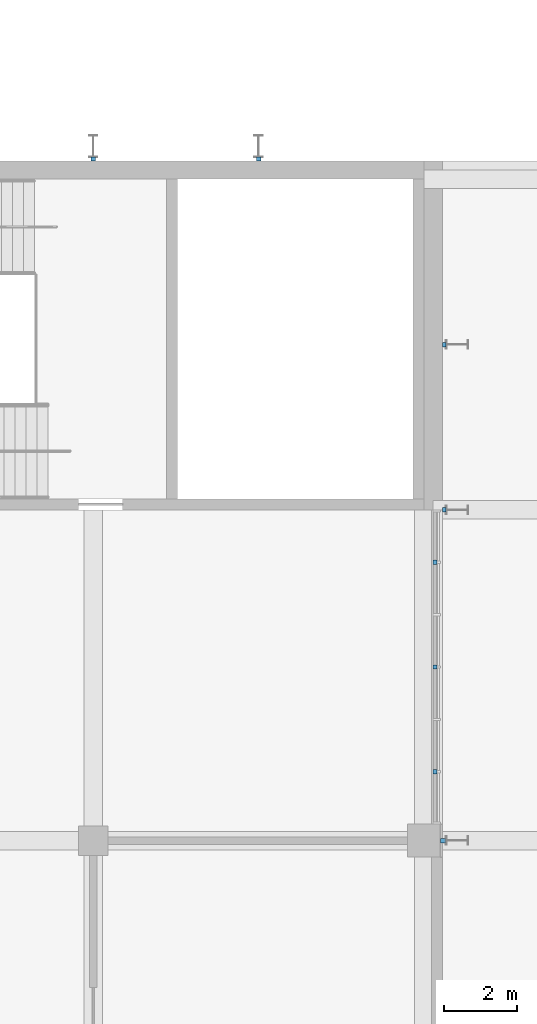
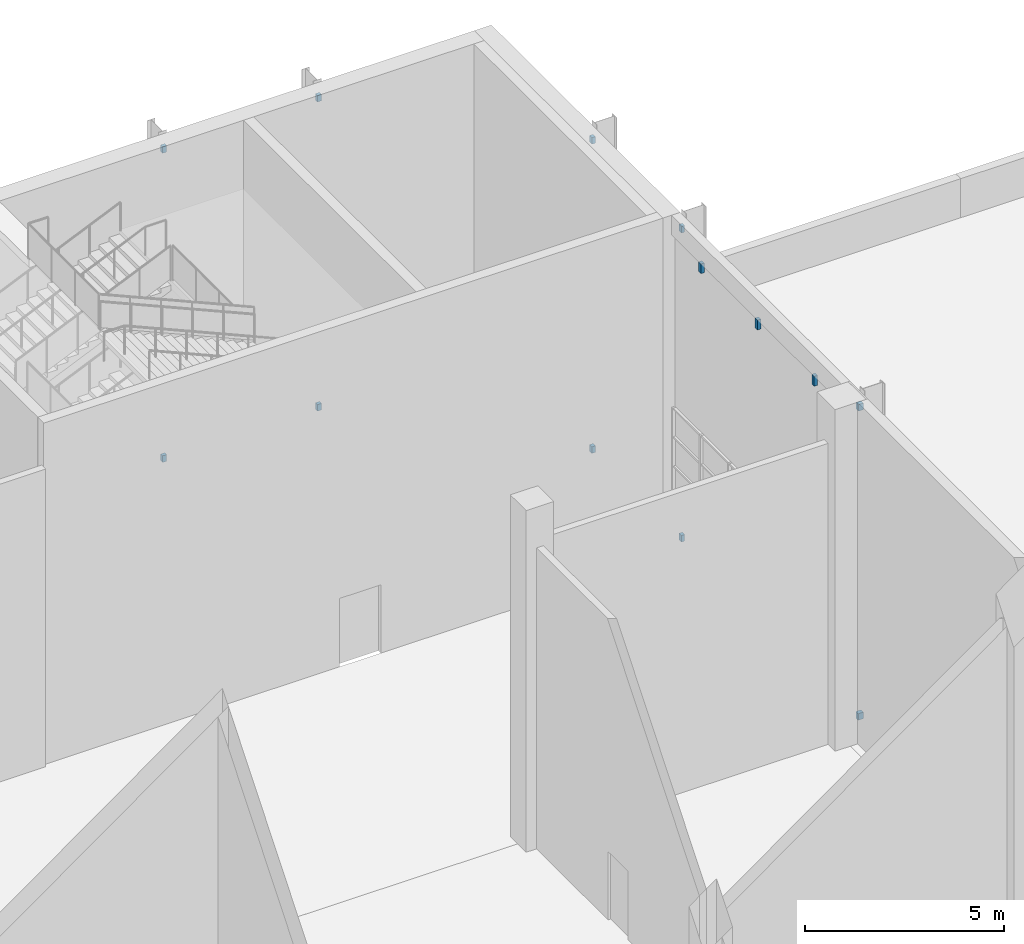
# One storey, part 131 of 182: 13 discrete accessories.
"""IFC4 building model written with IfcOpenShell, lengths in metres."""

from ifc_helpers import new_model, si_unit, direction, frame, origin, origin_2d, place, context, subcontext, project, spatial, rectangle, extrude, material, type_object, element, save


model = new_model("IFC4")

# Units and contexts
model_context = context("Model", 3, precision=1e-05, world=origin(), true_north=direction((0.0, 1.0)))
body_context = subcontext(model_context, "Body", "Model", "MODEL_VIEW")
ifc_project = project(units=[si_unit("LENGTHUNIT", "METRE"), si_unit("AREAUNIT", "SQUARE_METRE"), si_unit("VOLUMEUNIT", "CUBIC_METRE"), si_unit("PLANEANGLEUNIT", "RADIAN"), si_unit("MASSUNIT", "GRAM", prefix="KILO")], contexts=[model_context])

# Site, building, storey
site_placement = place(None, origin())
site = spatial("IfcSite", under=ifc_project, at=site_placement, CompositionType="ELEMENT")
building_placement = place(site_placement, origin())
building = spatial("IfcBuilding", under=site, at=building_placement, Name="Silverbay Arena", CompositionType="ELEMENT")
storey_placement = place(building_placement, frame((0.0, 0.0, 11.5)))
storey = spatial("IfcBuildingStorey", under=building, at=storey_placement, Name="L02", CompositionType="ELEMENT", Elevation=11.5)

# Discrete accessories
ifc_material = material(Name="Steel S355", Category="steel")
discrete_accessory_type = type_object("IfcDiscreteAccessoryType", Name="Steel bracket plate", PredefinedType="BRACKET", material=ifc_material)
for number, where, z_axis, x_axis, name in (
    (1, (207.300048828125, 127.875, 9.60009765625), (0.0, 0.0, 1.0), (1.0, 0.0, 0.0), "Cladding hanger bracket"),
    (2, (207.300048828125, 130.72509765625, 9.60009765625), (0.0, 0.0, 1.0), (1.0, 0.0, 0.0), "Cladding hanger bracket"),
    (3, (207.300048828125, 133.574951171875, 9.60009765625), (0.0, 0.0, 1.0), (1.0, 0.0, 0.0), "Cladding hanger bracket"),
):
    element("IfcDiscreteAccessory", number, at=place(storey_placement, frame(where, z_axis=z_axis, x_axis=x_axis)), inside=storey, type_object=discrete_accessory_type, Name=name, PredefinedType="BRACKET", context=body_context, shape_type="SweptSolid", body=[
        extrude(rectangle(XDim=0.10009765625, YDim=0.1201171875, at=origin_2d()), origin(), (0.0, 0.0, 1.0), 0.300048828125),
    ])
for number, where, z_axis, x_axis, name in (
    (4, (207.52490234375, 126.0, 0.39990234375), (0.0, 0.0, 1.0), (1.0, 0.0, 0.0), "Fin bracket"),
    (5, (207.52490234375, 126.0, 9.89990234375), (0.0, 0.0, 1.0), (1.0, 0.0, 0.0), "Fin bracket"),
):
    element("IfcDiscreteAccessory", number, at=place(storey_placement, frame(where, z_axis=z_axis, x_axis=x_axis)), inside=storey, type_object=discrete_accessory_type, Name=name, PredefinedType="BRACKET", context=body_context, shape_type="SweptSolid", body=[
        extrude(rectangle(XDim=0.14990234375, YDim=0.1201171875, at=origin_2d()), origin(), (0.0, 0.0, 1.0), 0.199951171875),
    ])
for number, where, z_axis, x_axis, name in (
    (6, (207.550048828125, 135.0, 0.39990234375), (0.0, 0.0, 1.0), (1.0, 0.0, 0.0), "Fin bracket"),
    (7, (207.550048828125, 135.0, 9.89990234375), (0.0, 0.0, 1.0), (1.0, 0.0, 0.0), "Fin bracket"),
    (8, (207.550048828125, 139.5, 0.39990234375), (0.0, 0.0, 1.0), (1.0, 0.0, 0.0), "Fin bracket"),
    (9, (207.550048828125, 139.5, 9.89990234375), (0.0, 0.0, 1.0), (1.0, 0.0, 0.0), "Fin bracket"),
):
    element("IfcDiscreteAccessory", number, at=place(storey_placement, frame(where, z_axis=z_axis, x_axis=x_axis)), inside=storey, type_object=discrete_accessory_type, Name=name, PredefinedType="BRACKET", context=body_context, shape_type="SweptSolid", body=[
        extrude(rectangle(XDim=0.10009765625, YDim=0.1201171875, at=origin_2d()), origin(), (0.0, 0.0, 1.0), 0.199951171875),
    ])
for number, where, z_axis, x_axis, name in (
    (10, (198.0, 144.550048828125, 0.39990234375), (0.0, 0.0, 1.0), (1.0, 0.0, 0.0), "Fin bracket"),
    (11, (198.0, 144.550048828125, 9.89990234375), (0.0, 0.0, 1.0), (1.0, 0.0, 0.0), "Fin bracket"),
    (12, (202.5, 144.550048828125, 0.39990234375), (0.0, 0.0, 1.0), (1.0, 0.0, 0.0), "Fin bracket"),
    (13, (202.5, 144.550048828125, 9.89990234375), (0.0, 0.0, 1.0), (1.0, 0.0, 0.0), "Fin bracket"),
):
    element("IfcDiscreteAccessory", number, at=place(storey_placement, frame(where, z_axis=z_axis, x_axis=x_axis)), inside=storey, type_object=discrete_accessory_type, Name=name, PredefinedType="BRACKET", context=body_context, shape_type="SweptSolid", body=[
        extrude(rectangle(XDim=0.1201171875, YDim=0.10009765625, at=origin_2d()), origin(), (0.0, 0.0, 1.0), 0.199951171875),
    ])

save(model, "model.ifc")
